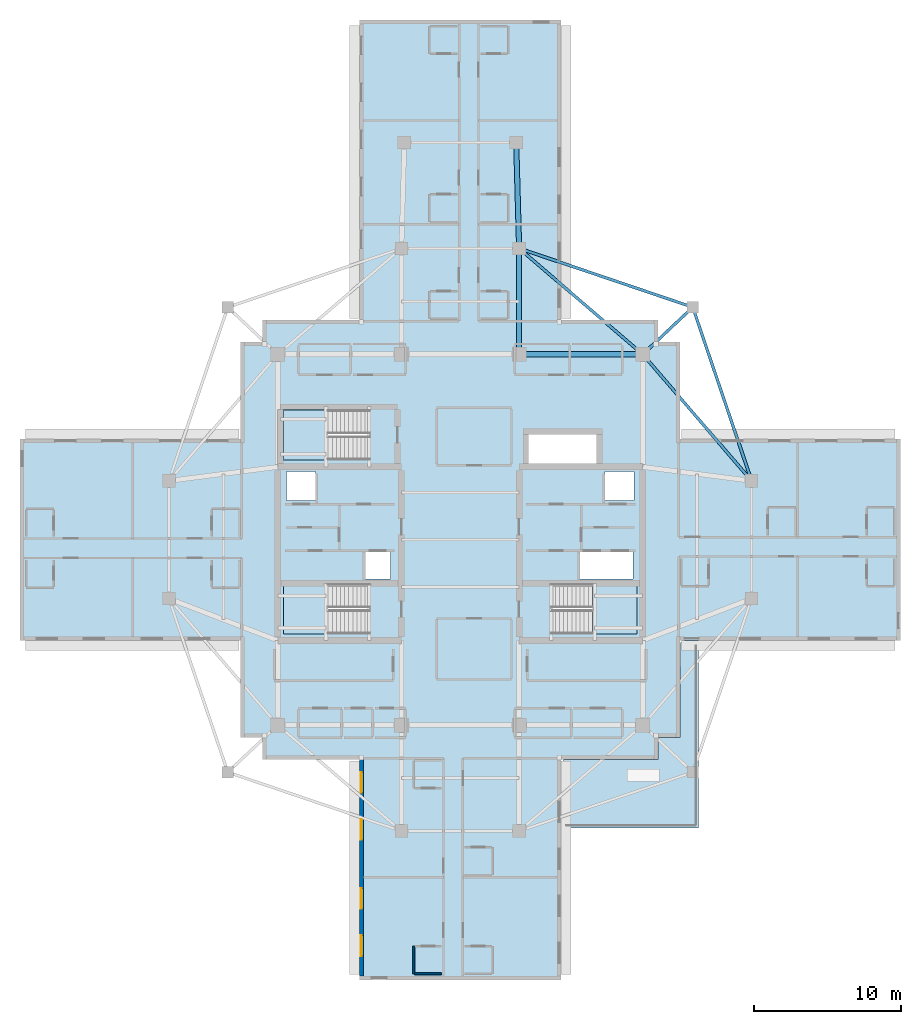
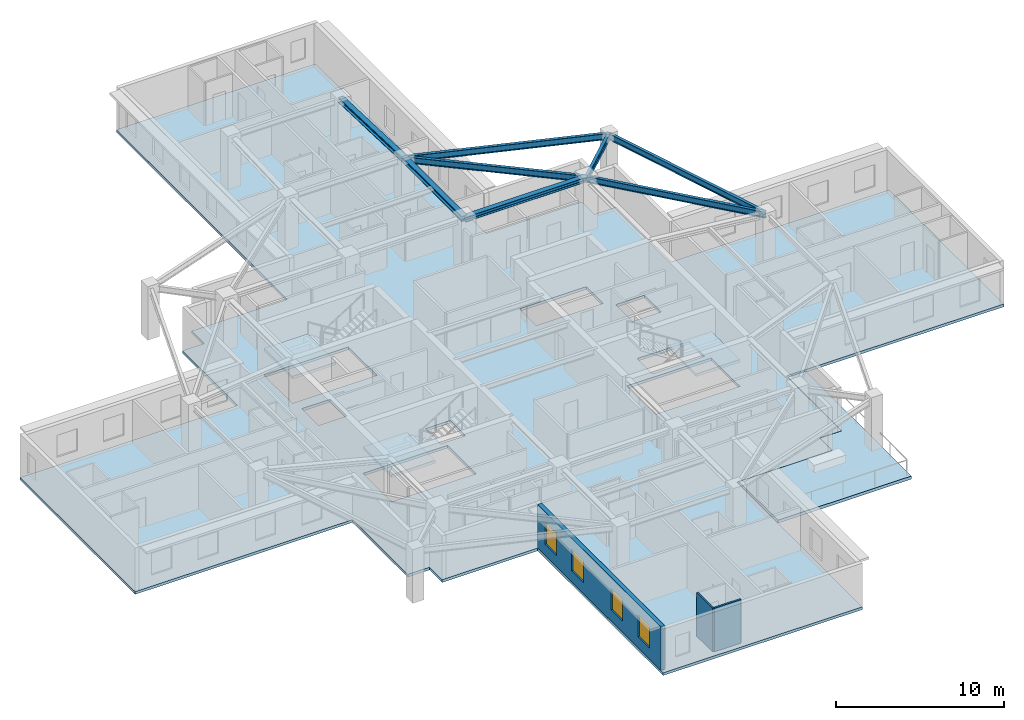
# One storey, part 2 of 13: 8 beams, 5 slabs, 4 windows, 3 walls, 4 openings, 3 elements without a shape of their own.
"""IFC4 building model written with IfcOpenShell, lengths in metres."""

from ifc_helpers import new_model, si_unit, direction, frame, frame_2d, origin, origin_2d, place, context, subcontext, project, spatial, polyline, rectangle, i_section, outline, extrude, material, layer, layer_set, material_profile, profile_set, type_object, element, fill, aggregate, save


model = new_model("IFC4")

# Units and contexts
model_context = context("Model", 3, precision=1e-05, world=origin(), true_north=direction((0.0, 1.0)))
body_context = subcontext(model_context, "Body", "Model", "MODEL_VIEW")
ifc_project = project(units=[si_unit("LENGTHUNIT", "METRE"), si_unit("AREAUNIT", "SQUARE_METRE"), si_unit("VOLUMEUNIT", "CUBIC_METRE"), si_unit("PLANEANGLEUNIT", "RADIAN"), si_unit("MASSUNIT", "GRAM", prefix="KILO")], contexts=[model_context])

# Site, building, storey
site_placement = place(None, origin())
site = spatial("IfcSite", under=ifc_project, at=site_placement, CompositionType="ELEMENT")
building_placement = place(site_placement, origin())
building = spatial("IfcBuilding", under=site, at=building_placement, Name="Qingluan Cross Belvedere", CompositionType="ELEMENT")
storey_placement = place(building_placement, frame((0.0, 0.0, 224.699951171875)))
storey = spatial("IfcBuildingStorey", under=building, at=storey_placement, Name="L56", CompositionType="ELEMENT", Elevation=224.699951171875)

# Beams
ifc_material_1 = material(Name="Steel Q420GJB", Category="steel")
ifc_material_profile_1 = material_profile(ifc_material_1, i_section(OverallWidth=0.199951171875, OverallDepth=0.449951171875, WebThickness=0.009033203125, FlangeThickness=0.013916015625, FilletRadius=0.01611328125, at=origin_2d()), Name="HN450x200x9x14")
ifc_profile_set_1 = profile_set([ifc_material_profile_1], Name="Steel Q420GJB")
beam_type_1 = type_object("IfcBeamType", Name="Steel_Beam_HN450x200x9x14", PredefinedType="JOIST", material=ifc_profile_set_1)
beam_1_placement = place(storey_placement, frame((12.39990234375, 12.60009765625, 3.47509765625), z_axis=(0.728219948308, 0.685343495546, 0.0), x_axis=(-0.685343495546, 0.728219948308, 0.0)))
element("IfcBeam", 1, at=beam_1_placement, inside=storey, type_object=beam_type_1, Name="Corner beam 1 L56-RNE", PredefinedType="JOIST", context=body_context, shape_type="SweptSolid", body=[
    extrude(i_section(OverallWidth=0.199951171875, OverallDepth=0.449951171875, WebThickness=0.009033203125, FlangeThickness=0.013916015625, FilletRadius=0.01611328125, at=origin_2d()), origin(), (0.0, 0.0, 1.0), 4.669189453125),
])
for number, where, z_axis, x_axis, name in (
    (2, (15.800048828125, 15.800048828125, 3.47509765625), (-0.947066283324, 0.321038089628, 0.0), (-0.321038089628, -0.947066283324, 0.0), "Corner beam 2 L56-RNE"),
    (3, (15.800048828125, 15.800048828125, 3.47509765625), (0.321038089628, -0.947066283324, 0.0), (0.947066283324, 0.321038089628, 0.0), "Corner beam 3 L56-RNE"),
):
    element("IfcBeam", number, at=place(storey_placement, frame(where, z_axis=z_axis, x_axis=x_axis)), inside=storey, type_object=beam_type_1, Name=name, PredefinedType="JOIST", context=body_context, shape_type="SweptSolid", body=[
        extrude(i_section(OverallWidth=0.199951171875, OverallDepth=0.449951171875, WebThickness=0.009033203125, FlangeThickness=0.013916015625, FilletRadius=0.01611328125, at=origin_2d()), origin(), (0.0, 0.0, 1.0), 12.45947265625),
    ])
beam_2_placement = place(storey_placement, frame((12.39990234375, 12.60009765625, 3.47509765625), z_axis=(0.652245077546, -0.75800815221, 0.0), x_axis=(0.75800815221, 0.652245077546, 0.0)))
element("IfcBeam", 4, at=beam_2_placement, inside=storey, type_object=beam_type_1, Name="Corner beam 4 L56-RNE", PredefinedType="JOIST", context=body_context, shape_type="SweptSolid", body=[
    extrude(i_section(OverallWidth=0.199951171875, OverallDepth=0.449951171875, WebThickness=0.009033203125, FlangeThickness=0.013916015625, FilletRadius=0.01611328125, at=origin_2d()), origin(), (0.0, 0.0, 1.0), 11.345703125),
])
beam_3_placement = place(storey_placement, frame((12.39990234375, 12.60009765625, 3.47509765625), z_axis=(-0.759255044656, 0.650793190779, 0.0), x_axis=(-0.650793190779, -0.759255044656, 0.0)))
element("IfcBeam", 5, at=beam_3_placement, inside=storey, type_object=beam_type_1, Name="Corner beam 5 L56-RNE", PredefinedType="JOIST", context=body_context, shape_type="SweptSolid", body=[
    extrude(i_section(OverallWidth=0.199951171875, OverallDepth=0.449951171875, WebThickness=0.009033203125, FlangeThickness=0.013916015625, FilletRadius=0.01611328125, at=origin_2d()), origin(), (0.0, 0.0, 1.0), 11.063232421875),
])
ifc_material_2 = material(Name="Steel Q420GJB", Category="steel")
ifc_material_profile_2 = material_profile(ifc_material_2, i_section(OverallWidth=0.35009765625, OverallDepth=0.35009765625, WebThickness=0.011962890625, FlangeThickness=0.01904296875, FilletRadius=0.02001953125, at=origin_2d()), Name="HW350x350x12x19")
ifc_profile_set_2 = profile_set([ifc_material_profile_2], Name="Steel Q420GJB")
beam_type_2 = type_object("IfcBeamType", Name="Steel_Girder_HW350x350x12x19", PredefinedType="USERDEFINED", material=ifc_profile_set_2)
beam_4_placement = place(storey_placement, frame((4.0, 12.60009765625, 3.525146484375), z_axis=(1.0, 0.0, 0.0), x_axis=(0.0, 1.0, 0.0)))
element("IfcBeam", 6, at=beam_4_placement, inside=storey, type_object=beam_type_2, Name="Hub girder L56-HG-N3", ObjectType="GIRDER", PredefinedType="USERDEFINED", context=body_context, shape_type="SweptSolid", body=[
    extrude(i_section(OverallWidth=0.35009765625, OverallDepth=0.35009765625, WebThickness=0.011962890625, FlangeThickness=0.01904296875, FilletRadius=0.02001953125, at=origin_2d()), origin(), (0.0, 0.0, 1.0), 8.39990234375),
])
beam_5_placement = place(storey_placement, frame((4.0, 12.60009765625, 3.525146484375), z_axis=(0.0, 1.0, 0.0), x_axis=(-1.0, 0.0, 0.0)))
element("IfcBeam", 7, at=beam_5_placement, inside=storey, type_object=beam_type_2, Name="Arm N radial girder B L56", ObjectType="GIRDER", PredefinedType="USERDEFINED", context=body_context, shape_type="SweptSolid", body=[
    extrude(i_section(OverallWidth=0.35009765625, OverallDepth=0.35009765625, WebThickness=0.011962890625, FlangeThickness=0.01904296875, FilletRadius=0.02001953125, at=origin_2d()), origin(), (0.0, 0.0, 1.0), 7.199951171875),
])
beam_6_placement = place(storey_placement, frame((4.0, 19.800048828125, 3.525146484375), z_axis=(-0.027760481514, 0.999614603568, 0.0), x_axis=(-0.999614603568, -0.027760481514, 0.0)))
element("IfcBeam", 8, at=beam_6_placement, inside=storey, type_object=beam_type_2, Name="Arm N outer radial girder B L56", ObjectType="GIRDER", PredefinedType="USERDEFINED", context=body_context, shape_type="SweptSolid", body=[
    extrude(i_section(OverallWidth=0.35009765625, OverallDepth=0.35009765625, WebThickness=0.011962890625, FlangeThickness=0.01904296875, FilletRadius=0.02001953125, at=origin_2d()), origin(), (0.0, 0.0, 1.0), 7.20263671875),
])

# Slab
ifc_material_3 = material(Name="Concrete C40", Category="concrete")
ifc_layer_1 = layer(ifc_material_3, 0.199951171875, Name="FloorSlab_200")
ifc_layer_set_1 = layer_set([ifc_layer_1], Name="Concrete C40")
slab_type_1 = type_object("IfcSlabType", Name="FloorSlab_200", PredefinedType="FLOOR", material=ifc_layer_set_1)
slab_1_placement = place(storey_placement, frame((0.0, 0.0, -0.199951171875)))
element("IfcSlab", 9, at=slab_1_placement, inside=storey, type_object=slab_type_1, Name="Structural floor slab L56", PredefinedType="FLOOR", context=body_context, shape_type="SweptSolid", body=[
    extrude(outline(polyline([(6.860107421875, -29.919921875), (6.860107421875, -14.93994140625), (13.43994140625, -14.93994140625), (13.43994140625, -13.43994140625), (14.93994140625, -13.43994140625), (14.93994140625, -6.860107421875), (29.919921875, -6.860107421875), (29.919921875, 6.860107421875), (14.93994140625, 6.860107421875), (14.93994140625, 13.43994140625), (13.43994140625, 13.43994140625), (13.43994140625, 14.93994140625), (6.860107421875, 14.93994140625), (6.860107421875, 35.320068359375), (-6.860107421875, 35.320068359375), (-6.860107421875, 14.93994140625), (-13.43994140625, 14.93994140625), (-13.43994140625, 13.43994140625), (-14.93994140625, 13.43994140625), (-14.93994140625, 6.860107421875), (-29.919921875, 6.860107421875), (-29.919921875, -6.860107421875), (-14.93994140625, -6.860107421875), (-14.93994140625, -13.43994140625), (-13.43994140625, -13.43994140625), (-13.43994140625, -14.93994140625), (-6.860107421875, -14.93994140625), (-6.860107421875, -29.919921875), (6.860107421875, -29.919921875)]), holes=[polyline([(-12.0, -3.0), (-6.179931640625, -3.0), (-6.179931640625, -6.39990234375), (-12.0, -6.39990234375), (-12.0, -3.0)]), polyline([(6.179931640625, -3.0), (12.0, -3.0), (12.0, -6.39990234375), (6.179931640625, -6.39990234375), (6.179931640625, -3.0)]), polyline([(-12.0, 8.820068359375), (-6.179931640625, 8.820068359375), (-6.179931640625, 5.419921875), (-12.0, 5.419921875), (-12.0, 8.820068359375)]), polyline([(-11.800048828125, 4.64990234375), (-9.85009765625, 4.64990234375), (-9.85009765625, 2.64990234375), (-11.800048828125, 2.64990234375), (-11.800048828125, 4.64990234375)]), polyline([(9.85009765625, 4.64990234375), (11.800048828125, 4.64990234375), (11.800048828125, 2.64990234375), (9.85009765625, 2.64990234375), (9.85009765625, 4.64990234375)]), polyline([(-6.449951171875, -0.840087890625), (-4.75, -0.840087890625), (-4.75, -2.659912109375), (-6.449951171875, -2.659912109375), (-6.449951171875, -0.840087890625)]), polyline([(8.14990234375, -0.840087890625), (11.75, -0.840087890625), (11.75, -2.659912109375), (8.14990234375, -2.659912109375), (8.14990234375, -0.840087890625)]), polyline([(4.64990234375, 7.14990234375), (9.25, 7.14990234375), (9.25, 5.14990234375), (4.64990234375, 5.14990234375), (4.64990234375, 7.14990234375)])]), origin(), (0.0, 0.0, 1.0), 0.199951171875),
])

# Stair, slab
ifc_material_4 = material(Name="Concrete C40", Category="concrete")
stair_type = type_object("IfcStairType", Name="CoreDoglegStair_1620", PredefinedType="HALF_TURN_STAIR", material=ifc_material_4)
stair_1_placement = place(storey_placement, origin())
stair_1 = element("IfcStair", 10, at=stair_1_placement, inside=storey, type_object=stair_type, Name="L56 ST1", PredefinedType="HALF_TURN_STAIR")
ifc_material_5 = material(Name="Concrete C40", Category="concrete")
ifc_layer_2 = layer(ifc_material_5, 0.179931640625, Name="StairLandingSlab_180")
ifc_layer_set_2 = layer_set([ifc_layer_2], Name="Concrete C40")
slab_type_2 = type_object("IfcSlabType", Name="StairLandingSlab_180", PredefinedType="LANDING", material=ifc_layer_set_2)
slab_2_placement = place(storey_placement, frame((0.0, 0.0, 1.75)))
slab_2 = element("IfcSlab", 11, at=slab_2_placement, type_object=slab_type_2, Name="ST1 landing 1", PredefinedType="LANDING", context=body_context, shape_type="SweptSolid", body=[
    extrude(outline(polyline([(-8.97998046875, -3.0), (-12.0, -3.0), (-12.0, -6.39990234375), (-8.97998046875, -6.39990234375), (-8.97998046875, -3.0)])), origin(), (0.0, 0.0, 1.0), 0.199951171875),
])
aggregate(stair_1, [slab_2])

stair_2_placement = place(storey_placement, origin())
stair_2 = element("IfcStair", 12, at=stair_2_placement, inside=storey, type_object=stair_type, Name="L56 ST2", PredefinedType="HALF_TURN_STAIR")
slab_3_placement = place(storey_placement, frame((0.0, 0.0, 1.75)))
slab_3 = element("IfcSlab", 13, at=slab_3_placement, type_object=slab_type_2, Name="ST2 landing 1", PredefinedType="LANDING", context=body_context, shape_type="SweptSolid", body=[
    extrude(outline(polyline([(8.97998046875, -6.39990234375), (12.0, -6.39990234375), (12.0, -3.0), (8.97998046875, -3.0), (8.97998046875, -6.39990234375)])), origin(), (0.0, 0.0, 1.0), 0.199951171875),
])
aggregate(stair_2, [slab_3])

stair_3_placement = place(storey_placement, origin())
stair_3 = element("IfcStair", 14, at=stair_3_placement, inside=storey, type_object=stair_type, Name="L56 ST3", PredefinedType="HALF_TURN_STAIR")
slab_4_placement = place(storey_placement, frame((0.0, 0.0, 1.75)))
slab_4 = element("IfcSlab", 15, at=slab_4_placement, type_object=slab_type_2, Name="ST3 landing 1", PredefinedType="LANDING", context=body_context, shape_type="SweptSolid", body=[
    extrude(outline(polyline([(-8.97998046875, 8.820068359375), (-12.0, 8.820068359375), (-12.0, 5.419921875), (-8.97998046875, 5.419921875), (-8.97998046875, 8.820068359375)])), origin(), (0.0, 0.0, 1.0), 0.199951171875),
])
aggregate(stair_3, [slab_4])

# Slab
ifc_material_6 = material(Name="Concrete C40", Category="concrete")
ifc_layer_3 = layer(ifc_material_6, 0.219970703125, Name="TerraceSlab_220")
ifc_layer_set_3 = layer_set([ifc_layer_3], Name="Concrete C40")
slab_type_3 = type_object("IfcSlabType", Name="TerraceSlab_220", PredefinedType="FLOOR", material=ifc_layer_set_3)
slab_5_placement = place(storey_placement, frame((0.0, 0.0, -0.219970703125)))
element("IfcSlab", 16, at=slab_5_placement, inside=storey, type_object=slab_type_3, Name="Spiralling winter-garden terrace slab L56", PredefinedType="FLOOR", context=body_context, shape_type="SweptSolid", body=[
    extrude(outline(polyline([(14.949951171875, -7.0), (14.9482421875, -13.445556640625), (13.449951171875, -13.449951171875), (13.449951171875, -14.93994140625), (13.44189453125, -14.94970703125), (7.0, -14.949951171875), (7.0, -19.60009765625), (16.199951171875, -19.60009765625), (16.199951171875, -7.0), (14.949951171875, -7.0)])), origin(), (0.0, 0.0, 1.0), 0.219970703125),
])

# Walls
ifc_material_7 = material(Name="Moisture-resistant gypsum board lining")
ifc_layer_4 = layer(ifc_material_7, 0.1201171875, Name="EnsuiteWetPartition_120")
ifc_layer_set_4 = layer_set([ifc_layer_4], Name="Moisture-resistant gypsum board lining")
wall_type_1 = type_object("IfcWallType", Name="EnsuiteWetPartition_120", PredefinedType="PARTITIONING", material=ifc_layer_set_4)
wall_1_placement = place(storey_placement, frame((-3.10009765625, -29.5, 0.0), z_axis=(0.0, 0.0, 1.0), x_axis=(1.0, 0.0, 0.0)))
element("IfcWall", 17, at=wall_1_placement, inside=storey, type_object=wall_type_1, Name="Partition L56:S:bw1_1", PredefinedType="PARTITIONING", context=body_context, shape_type="SweptSolid", body=[
    extrude(rectangle(XDim=1.820068359375, YDim=0.1201171875, at=frame_2d((0.91015625, 0.0))), origin(), (0.0, 0.0, 1.0), 3.170166015625),
])
wall_2_placement = place(storey_placement, frame((-3.1650390625, -27.6201171875, 0.0), z_axis=(0.0, 0.0, 1.0), x_axis=(0.0, -1.0, 0.0)))
element("IfcWall", 18, at=wall_2_placement, inside=storey, type_object=wall_type_1, Name="Partition L56:S:bc1_1", PredefinedType="PARTITIONING", context=body_context, shape_type="SweptSolid", body=[
    extrude(rectangle(XDim=1.8798828125, YDim=0.1201171875, at=frame_2d((0.93994140625, 0.0))), origin(), (0.0, 0.0, 1.0), 3.170166015625),
])

# Wall, openings, windows
ifc_material_8 = material(Name="Precast concrete C45", Category="concrete")
ifc_layer_5 = layer(ifc_material_8, 0.280029296875, Name="PrecastFacadeWall_280")
ifc_layer_set_5 = layer_set([ifc_layer_5], Name="Precast concrete C45")
wall_type_2 = type_object("IfcWallType", Name="PrecastFacadeWall_280", PredefinedType="STANDARD", material=ifc_layer_set_5)
wall_3_placement = place(storey_placement, frame((-6.719970703125, -14.93994140625, 0.0), z_axis=(0.0, 0.0, 1.0), x_axis=(0.0, -1.0, 0.0)))
wall_3 = element("IfcWall", 19, at=wall_3_placement, inside=storey, type_object=wall_type_2, Name="Facade wall L56-SA", PredefinedType="STANDARD", context=body_context, shape_type="SweptSolid", body=[
    extrude(rectangle(XDim=14.699951171875, YDim=0.280029296875, at=frame_2d((7.35009765625, 0.0))), origin(), (0.0, 0.0, 1.0), 3.179931640625),
])
opening_1_placement = place(wall_3_placement, frame((0.85009765625, 0.0, 0.800048828125)))
opening_1 = element("IfcOpeningElement", 20, at=opening_1_placement, cuts=wall_3, Name="Opening W-01", PredefinedType="OPENING", context=body_context, shape_type="SweptSolid", body=[
    extrude(rectangle(XDim=1.39990234375, YDim=1.60009765625, at=frame_2d((0.699951171875, 0.800048828125))), frame((0.0, 0.14990234375, 0.0), z_axis=(0.0, -1.0, 0.0), x_axis=(1.0, 0.0, 0.0)), (0.0, 0.0, 1.0), 0.300048828125),
])
opening_2_placement = place(wall_3_placement, frame((4.050048828125, 0.0, 0.800048828125)))
opening_2 = element("IfcOpeningElement", 21, at=opening_2_placement, cuts=wall_3, Name="Opening W-01", PredefinedType="OPENING", context=body_context, shape_type="SweptSolid", body=[
    extrude(rectangle(XDim=1.39990234375, YDim=1.60009765625, at=frame_2d((0.699951171875, 0.800048828125))), frame((0.0, 0.14990234375, 0.0), z_axis=(0.0, -1.0, 0.0), x_axis=(1.0, 0.0, 0.0)), (0.0, 0.0, 1.0), 0.300048828125),
])
opening_3_placement = place(wall_3_placement, frame((8.75, 0.0, 0.800048828125)))
opening_3 = element("IfcOpeningElement", 22, at=opening_3_placement, cuts=wall_3, Name="Opening W-01", PredefinedType="OPENING", context=body_context, shape_type="SweptSolid", body=[
    extrude(rectangle(XDim=1.39990234375, YDim=1.60009765625, at=frame_2d((0.699951171875, 0.800048828125))), frame((0.0, 0.14990234375, 0.0), z_axis=(0.0, -1.0, 0.0), x_axis=(1.0, 0.0, 0.0)), (0.0, 0.0, 1.0), 0.300048828125),
])
opening_4_placement = place(wall_3_placement, frame((11.949951171875, 0.0, 0.800048828125)))
opening_4 = element("IfcOpeningElement", 23, at=opening_4_placement, cuts=wall_3, Name="Opening W-01", PredefinedType="OPENING", context=body_context, shape_type="SweptSolid", body=[
    extrude(rectangle(XDim=1.39990234375, YDim=1.60009765625, at=frame_2d((0.699951171875, 0.800048828125))), frame((0.0, 0.14990234375, 0.0), z_axis=(0.0, -1.0, 0.0), x_axis=(1.0, 0.0, 0.0)), (0.0, 0.0, 1.0), 0.300048828125),
])
ifc_material_9 = material(Name="Thermally broken triple Low-E glass in aluminium frame", Category="aluminium")
window_type = type_object("IfcWindowType", Name="TriRibbonWin_1400x1600", PartitioningType="SINGLE_PANEL", PredefinedType="WINDOW", material=ifc_material_9)
window_1_placement = place(opening_1_placement, origin())
window_1 = element("IfcWindow", 24, at=window_1_placement, inside=storey, type_object=window_type, Name="Ribbon window L56-SA-1", OverallHeight=1.60009765625, OverallWidth=1.39990234375, PartitioningType="SINGLE_PANEL", PredefinedType="WINDOW", context=body_context, shape_type="SweptSolid", body=[
    extrude(rectangle(XDim=1.39990234375, YDim=1.60009765625, at=frame_2d((0.699951171875, 0.800048828125))), frame((0.0, 0.030029296875, 0.0), z_axis=(0.0, -1.0, 0.0), x_axis=(1.0, 0.0, 0.0)), (0.0, 0.0, 1.0), 0.06005859375),
])
fill(opening_1, window_1)
window_2_placement = place(opening_2_placement, origin())
window_2 = element("IfcWindow", 25, at=window_2_placement, inside=storey, type_object=window_type, Name="Ribbon window L56-SA-2", OverallHeight=1.60009765625, OverallWidth=1.39990234375, PartitioningType="SINGLE_PANEL", PredefinedType="WINDOW", context=body_context, shape_type="SweptSolid", body=[
    extrude(rectangle(XDim=1.39990234375, YDim=1.60009765625, at=frame_2d((0.699951171875, 0.800048828125))), frame((0.0, 0.030029296875, 0.0), z_axis=(0.0, -1.0, 0.0), x_axis=(1.0, 0.0, 0.0)), (0.0, 0.0, 1.0), 0.06005859375),
])
fill(opening_2, window_2)
window_3_placement = place(opening_3_placement, origin())
window_3 = element("IfcWindow", 26, at=window_3_placement, inside=storey, type_object=window_type, Name="Ribbon window L56-SA-3", OverallHeight=1.60009765625, OverallWidth=1.39990234375, PartitioningType="SINGLE_PANEL", PredefinedType="WINDOW", context=body_context, shape_type="SweptSolid", body=[
    extrude(rectangle(XDim=1.39990234375, YDim=1.60009765625, at=frame_2d((0.699951171875, 0.800048828125))), frame((0.0, 0.030029296875, 0.0), z_axis=(0.0, -1.0, 0.0), x_axis=(1.0, 0.0, 0.0)), (0.0, 0.0, 1.0), 0.06005859375),
])
fill(opening_3, window_3)
window_4_placement = place(opening_4_placement, origin())
window_4 = element("IfcWindow", 27, at=window_4_placement, inside=storey, type_object=window_type, Name="Ribbon window L56-SA-4", OverallHeight=1.60009765625, OverallWidth=1.39990234375, PartitioningType="SINGLE_PANEL", PredefinedType="WINDOW", context=body_context, shape_type="SweptSolid", body=[
    extrude(rectangle(XDim=1.39990234375, YDim=1.60009765625, at=frame_2d((0.699951171875, 0.800048828125))), frame((0.0, 0.030029296875, 0.0), z_axis=(0.0, -1.0, 0.0), x_axis=(1.0, 0.0, 0.0)), (0.0, 0.0, 1.0), 0.06005859375),
])
fill(opening_4, window_4)

save(model, "model.ifc")
